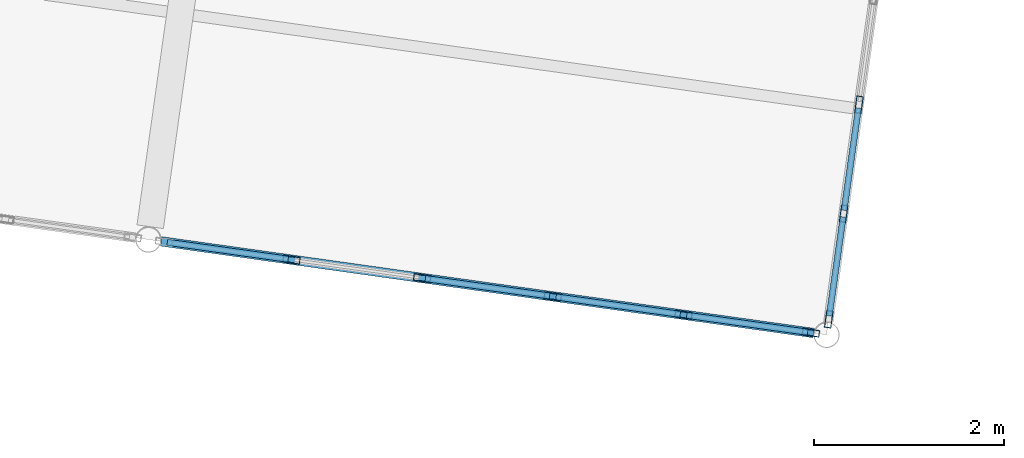
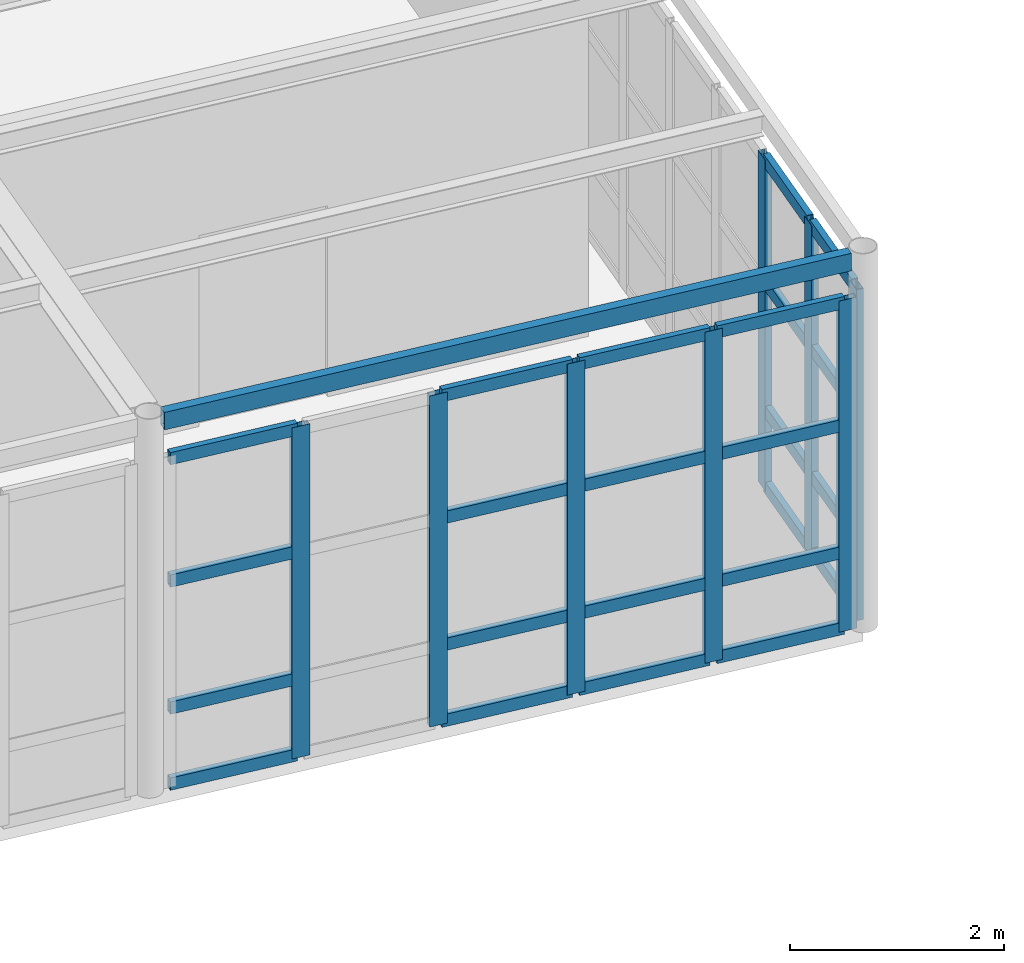
# One storey, part 23 of 67: 32 members, 1 beam, 2 elements without a shape of their own.
"""IFC4 building model written with IfcOpenShell, lengths in metres."""

from ifc_helpers import new_model, si_unit, direction, frame, origin, origin_2d, place, context, subcontext, project, spatial, hollow_rectangle, extrude, material, layer, layer_set, material_profile, profile_set, type_object, element, aggregate, save


model = new_model("IFC4")

# Units and contexts
model_context = context("Model", 3, precision=1e-05, world=origin(), true_north=direction((0.0, 1.0)))
body_context = subcontext(model_context, "Body", "Model", "MODEL_VIEW")
ifc_project = project(units=[si_unit("LENGTHUNIT", "METRE"), si_unit("AREAUNIT", "SQUARE_METRE"), si_unit("VOLUMEUNIT", "CUBIC_METRE"), si_unit("PLANEANGLEUNIT", "RADIAN"), si_unit("MASSUNIT", "GRAM", prefix="KILO")], contexts=[model_context])

# Site, building, storey
site_placement = place(None, origin())
site = spatial("IfcSite", under=ifc_project, at=site_placement, CompositionType="ELEMENT")
building_placement = place(site_placement, origin())
building = spatial("IfcBuilding", under=site, at=building_placement, Name="Kharisveld Research Institute", CompositionType="ELEMENT")
storey_placement = place(building_placement, frame((0.0, 0.0, 9.60009765625)))
storey = spatial("IfcBuildingStorey", under=building, at=storey_placement, Name="L02", CompositionType="ELEMENT", Elevation=9.60009765625)

# Curtain wall, members
ifc_material_1 = material(Name="Thermally Broken Aluminium Curtain Wall", Category="aluminium")
ifc_layer_1 = layer(ifc_material_1, 0.159912109375)
ifc_layer_set_1 = layer_set([ifc_layer_1], Name="CW_SYS_01")
curtain_wall_type_1 = type_object("IfcCurtainWallType", Name="CW_SYS_01", PredefinedType="NOTDEFINED", material=ifc_layer_set_1)
curtain_wall_1_placement = place(storey_placement, origin())
curtain_wall_1 = element("IfcCurtainWall", 1, at=curtain_wall_1_placement, inside=storey, type_object=curtain_wall_type_1, Name="CW:V4:L02:E1", PredefinedType="NOTDEFINED")
ifc_material_2 = material(Name="Anodised Aluminium AW-6063-T6", Category="aluminium")
ifc_material_profile_1 = material_profile(ifc_material_2, hollow_rectangle(XDim=0.070068359375, YDim=0.179931640625, WallThickness=0.00439453125, at=origin_2d()))
ifc_profile_set_1 = profile_set([ifc_material_profile_1], Name="Anodised Aluminium AW-6063-T6")
member_type_1 = type_object("IfcMemberType", Name="CW_MUL_180", PredefinedType="MULLION", material=ifc_profile_set_1)
member_1_placement = place(storey_placement, frame((103.85986328125, 15.911865234375, 0.0), z_axis=(0.0, 0.0, 1.0), x_axis=(0.990268046064, -0.139173262318, 0.0)))
member_1 = element("IfcMember", 2, at=member_1_placement, type_object=member_type_1, Name="CW-01 mullion 5", PredefinedType="MULLION", context=body_context, shape_type="SweptSolid", body=[
    extrude(hollow_rectangle(XDim=0.070068359375, YDim=0.179931640625, WallThickness=0.00439453125, at=origin_2d()), origin(), (0.0, 0.0, 1.0), 3.77978515625),
])
member_2_placement = place(storey_placement, frame((103.698974609375, 14.766845703125, 0.0), z_axis=(0.0, 0.0, 1.0), x_axis=(0.990268046064, -0.139173262318, 0.0)))
member_2 = element("IfcMember", 3, at=member_2_placement, type_object=member_type_1, Name="CW-01 mullion 6", PredefinedType="MULLION", context=body_context, shape_type="SweptSolid", body=[
    extrude(hollow_rectangle(XDim=0.070068359375, YDim=0.179931640625, WallThickness=0.00439453125, at=origin_2d()), origin(), (0.0, 0.0, 1.0), 3.77978515625),
])
member_3_placement = place(storey_placement, frame((103.54296875, 13.65673828125, 0.0), z_axis=(0.0, 0.0, 1.0), x_axis=(0.990268046064, -0.139173262318, 0.0)))
member_3 = element("IfcMember", 4, at=member_3_placement, type_object=member_type_1, Name="CW-01 mullion 7", PredefinedType="MULLION", context=body_context, shape_type="SweptSolid", body=[
    extrude(hollow_rectangle(XDim=0.070068359375, YDim=0.179931640625, WallThickness=0.00439453125, at=origin_2d()), origin(), (0.0, 0.0, 1.0), 3.77978515625),
])

ifc_material_3 = material(Name="Thermally Broken Aluminium Curtain Wall", Category="aluminium")
ifc_layer_2 = layer(ifc_material_3, 0.159912109375)
ifc_layer_set_2 = layer_set([ifc_layer_2], Name="CW_SYS_02")
curtain_wall_type_2 = type_object("IfcCurtainWallType", Name="CW_SYS_02", PredefinedType="NOTDEFINED", material=ifc_layer_set_2)
curtain_wall_2_placement = place(storey_placement, origin())
curtain_wall_2 = element("IfcCurtainWall", 5, at=curtain_wall_2_placement, inside=storey, type_object=curtain_wall_type_2, Name="CW:V4:L02:S4", PredefinedType="NOTDEFINED")
member_4_placement = place(storey_placement, frame((103.354736328125, 13.514892578125, 0.0), z_axis=(0.0, 0.0, 1.0), x_axis=(-0.139173120957, -0.990268065931, 0.0)))
member_4 = element("IfcMember", 6, at=member_4_placement, type_object=member_type_1, Name="CW-02 mullion 1", PredefinedType="MULLION", context=body_context, shape_type="SweptSolid", body=[
    extrude(hollow_rectangle(XDim=0.070068359375, YDim=0.179931640625, WallThickness=0.00439453125, at=origin_2d()), origin(), (0.0, 0.0, 1.0), 3.77978515625),
])
member_5_placement = place(storey_placement, frame((102.015625, 13.703125, 0.0), z_axis=(0.0, 0.0, 1.0), x_axis=(-0.139173120957, -0.990268065931, 0.0)))
member_5 = element("IfcMember", 7, at=member_5_placement, type_object=member_type_1, Name="CW-02 mullion 2", PredefinedType="MULLION", context=body_context, shape_type="SweptSolid", body=[
    extrude(hollow_rectangle(XDim=0.070068359375, YDim=0.179931640625, WallThickness=0.00439453125, at=origin_2d()), origin(), (0.0, 0.0, 1.0), 3.77978515625),
])
member_6_placement = place(storey_placement, frame((100.6416015625, 13.896240234375, 0.0), z_axis=(0.0, 0.0, 1.0), x_axis=(-0.139173120957, -0.990268065931, 0.0)))
member_6 = element("IfcMember", 8, at=member_6_placement, type_object=member_type_1, Name="CW-02 mullion 3", PredefinedType="MULLION", context=body_context, shape_type="SweptSolid", body=[
    extrude(hollow_rectangle(XDim=0.070068359375, YDim=0.179931640625, WallThickness=0.00439453125, at=origin_2d()), origin(), (0.0, 0.0, 1.0), 3.77978515625),
])
member_7_placement = place(storey_placement, frame((99.267822265625, 14.08935546875, 0.0), z_axis=(0.0, 0.0, 1.0), x_axis=(-0.139173120957, -0.990268065931, 0.0)))
member_7 = element("IfcMember", 9, at=member_7_placement, type_object=member_type_1, Name="CW-02 mullion 4", PredefinedType="MULLION", context=body_context, shape_type="SweptSolid", body=[
    extrude(hollow_rectangle(XDim=0.070068359375, YDim=0.179931640625, WallThickness=0.00439453125, at=origin_2d()), origin(), (0.0, 0.0, 1.0), 3.77978515625),
])
member_8_placement = place(storey_placement, frame((97.893798828125, 14.282470703125, 0.0), z_axis=(0.0, 0.0, 1.0), x_axis=(-0.139173120957, -0.990268065931, 0.0)))
member_8 = element("IfcMember", 10, at=member_8_placement, type_object=member_type_1, Name="CW-02 mullion 5", PredefinedType="MULLION", context=body_context, shape_type="SweptSolid", body=[
    extrude(hollow_rectangle(XDim=0.070068359375, YDim=0.179931640625, WallThickness=0.00439453125, at=origin_2d()), origin(), (0.0, 0.0, 1.0), 3.77978515625),
])

# Member
ifc_material_4 = material(Name="Anodised Aluminium AW-6063-T6", Category="aluminium")
ifc_material_profile_2 = material_profile(ifc_material_4, hollow_rectangle(XDim=0.06494140625, YDim=0.139892578125, WallThickness=0.00390625, at=origin_2d()))
ifc_profile_set_2 = profile_set([ifc_material_profile_2], Name="Anodised Aluminium AW-6063-T6")
member_type_2 = type_object("IfcMemberType", Name="CW_TRN_140", PredefinedType="USERDEFINED", material=ifc_profile_set_2)
member_9_placement = place(storey_placement, frame((103.85498046875, 15.877197265625, 0.032470703125), z_axis=(-0.139123969132, -0.990274972527, 0.0), x_axis=(0.990274972527, -0.139123969132, 0.0)))
member_9 = element("IfcMember", 11, at=member_9_placement, type_object=member_type_2, Name="CW-01 transom 5.1", ObjectType="TRANSOM", PredefinedType="USERDEFINED", context=body_context, shape_type="SweptSolid", body=[
    extrude(hollow_rectangle(XDim=0.06494140625, YDim=0.139892578125, WallThickness=0.00390625, at=origin_2d()), origin(), (0.0, 0.0, 1.0), 1.086181640625),
])

member_10_placement = place(storey_placement, frame((103.85498046875, 15.877197265625, 0.89990234375), z_axis=(-0.139123969132, -0.990274972527, 0.0), x_axis=(0.990274972527, -0.139123969132, 0.0)))
member_10 = element("IfcMember", 12, at=member_10_placement, type_object=member_type_2, Name="CW-01 transom 5.2", ObjectType="TRANSOM", PredefinedType="USERDEFINED", context=body_context, shape_type="SweptSolid", body=[
    extrude(hollow_rectangle(XDim=0.06494140625, YDim=0.139892578125, WallThickness=0.00390625, at=origin_2d()), origin(), (0.0, 0.0, 1.0), 1.086181640625),
])

member_11_placement = place(storey_placement, frame((103.85498046875, 15.877197265625, 2.349853515625), z_axis=(-0.139123969132, -0.990274972527, 0.0), x_axis=(0.990274972527, -0.139123969132, 0.0)))
member_11 = element("IfcMember", 13, at=member_11_placement, type_object=member_type_2, Name="CW-01 transom 5.3", ObjectType="TRANSOM", PredefinedType="USERDEFINED", context=body_context, shape_type="SweptSolid", body=[
    extrude(hollow_rectangle(XDim=0.06494140625, YDim=0.139892578125, WallThickness=0.00390625, at=origin_2d()), origin(), (0.0, 0.0, 1.0), 1.086181640625),
])

member_12_placement = place(storey_placement, frame((103.85498046875, 15.877197265625, 3.747314453125), z_axis=(-0.139123969132, -0.990274972527, 0.0), x_axis=(0.990274972527, -0.139123969132, 0.0)))
member_12 = element("IfcMember", 14, at=member_12_placement, type_object=member_type_2, Name="CW-01 transom 5.4", ObjectType="TRANSOM", PredefinedType="USERDEFINED", context=body_context, shape_type="SweptSolid", body=[
    extrude(hollow_rectangle(XDim=0.06494140625, YDim=0.139892578125, WallThickness=0.00390625, at=origin_2d()), origin(), (0.0, 0.0, 1.0), 1.086181640625),
])

member_13_placement = place(storey_placement, frame((103.694091796875, 14.732177734375, 0.032470703125), z_axis=(-0.139144494747, -0.990272088661, 0.0), x_axis=(0.990272088661, -0.139144494747, 0.0)))
member_13 = element("IfcMember", 15, at=member_13_placement, type_object=member_type_2, Name="CW-01 transom 6.1", ObjectType="TRANSOM", PredefinedType="USERDEFINED", context=body_context, shape_type="SweptSolid", body=[
    extrude(hollow_rectangle(XDim=0.06494140625, YDim=0.139892578125, WallThickness=0.00390625, at=origin_2d()), origin(), (0.0, 0.0, 1.0), 1.051025390625),
])

member_14_placement = place(storey_placement, frame((103.694091796875, 14.732177734375, 0.89990234375), z_axis=(-0.139144494747, -0.990272088661, 0.0), x_axis=(0.990272088661, -0.139144494747, 0.0)))
member_14 = element("IfcMember", 16, at=member_14_placement, type_object=member_type_2, Name="CW-01 transom 6.2", ObjectType="TRANSOM", PredefinedType="USERDEFINED", context=body_context, shape_type="SweptSolid", body=[
    extrude(hollow_rectangle(XDim=0.06494140625, YDim=0.139892578125, WallThickness=0.00390625, at=origin_2d()), origin(), (0.0, 0.0, 1.0), 1.051025390625),
])

member_15_placement = place(storey_placement, frame((103.694091796875, 14.732177734375, 2.349853515625), z_axis=(-0.139144494747, -0.990272088661, 0.0), x_axis=(0.990272088661, -0.139144494747, 0.0)))
member_15 = element("IfcMember", 17, at=member_15_placement, type_object=member_type_2, Name="CW-01 transom 6.3", ObjectType="TRANSOM", PredefinedType="USERDEFINED", context=body_context, shape_type="SweptSolid", body=[
    extrude(hollow_rectangle(XDim=0.06494140625, YDim=0.139892578125, WallThickness=0.00390625, at=origin_2d()), origin(), (0.0, 0.0, 1.0), 1.051025390625),
])

member_16_placement = place(storey_placement, frame((103.694091796875, 14.732177734375, 3.747314453125), z_axis=(-0.139144494747, -0.990272088661, 0.0), x_axis=(0.990272088661, -0.139144494747, 0.0)))
member_16 = element("IfcMember", 18, at=member_16_placement, type_object=member_type_2, Name="CW-01 transom 6.4", ObjectType="TRANSOM", PredefinedType="USERDEFINED", context=body_context, shape_type="SweptSolid", body=[
    extrude(hollow_rectangle(XDim=0.06494140625, YDim=0.139892578125, WallThickness=0.00390625, at=origin_2d()), origin(), (0.0, 0.0, 1.0), 1.051025390625),
])

aggregate(curtain_wall_1, [member_1, member_2, member_3, member_9, member_10, member_11, member_12, member_13, member_14, member_15, member_16])

member_17_placement = place(storey_placement, frame((103.320068359375, 13.519775390625, 0.032470703125), z_axis=(-0.99026683228, 0.139181898557, 0.0), x_axis=(-0.139181898557, -0.99026683228, 0.0)))
member_17 = element("IfcMember", 19, at=member_17_placement, type_object=member_type_2, Name="CW-02 transom 1.1", ObjectType="TRANSOM", PredefinedType="USERDEFINED", context=body_context, shape_type="SweptSolid", body=[
    extrude(hollow_rectangle(XDim=0.06494140625, YDim=0.139892578125, WallThickness=0.00390625, at=origin_2d()), origin(), (0.0, 0.0, 1.0), 1.2822265625),
])

member_18_placement = place(storey_placement, frame((103.320068359375, 13.519775390625, 0.89990234375), z_axis=(-0.99026683228, 0.139181898557, 0.0), x_axis=(-0.139181898557, -0.99026683228, 0.0)))
member_18 = element("IfcMember", 20, at=member_18_placement, type_object=member_type_2, Name="CW-02 transom 1.2", ObjectType="TRANSOM", PredefinedType="USERDEFINED", context=body_context, shape_type="SweptSolid", body=[
    extrude(hollow_rectangle(XDim=0.06494140625, YDim=0.139892578125, WallThickness=0.00390625, at=origin_2d()), origin(), (0.0, 0.0, 1.0), 1.2822265625),
])

member_19_placement = place(storey_placement, frame((103.320068359375, 13.519775390625, 2.349853515625), z_axis=(-0.99026683228, 0.139181898557, 0.0), x_axis=(-0.139181898557, -0.99026683228, 0.0)))
member_19 = element("IfcMember", 21, at=member_19_placement, type_object=member_type_2, Name="CW-02 transom 1.3", ObjectType="TRANSOM", PredefinedType="USERDEFINED", context=body_context, shape_type="SweptSolid", body=[
    extrude(hollow_rectangle(XDim=0.06494140625, YDim=0.139892578125, WallThickness=0.00390625, at=origin_2d()), origin(), (0.0, 0.0, 1.0), 1.2822265625),
])

member_20_placement = place(storey_placement, frame((103.320068359375, 13.519775390625, 3.747314453125), z_axis=(-0.99026683228, 0.139181898557, 0.0), x_axis=(-0.139181898557, -0.99026683228, 0.0)))
member_20 = element("IfcMember", 22, at=member_20_placement, type_object=member_type_2, Name="CW-02 transom 1.4", ObjectType="TRANSOM", PredefinedType="USERDEFINED", context=body_context, shape_type="SweptSolid", body=[
    extrude(hollow_rectangle(XDim=0.06494140625, YDim=0.139892578125, WallThickness=0.00390625, at=origin_2d()), origin(), (0.0, 0.0, 1.0), 1.2822265625),
])

member_21_placement = place(storey_placement, frame((101.98095703125, 13.7080078125, 0.032470703125), z_axis=(-0.990269351258, 0.139163975074, 0.0), x_axis=(-0.139163975074, -0.990269351258, 0.0)))
member_21 = element("IfcMember", 23, at=member_21_placement, type_object=member_type_2, Name="CW-02 transom 2.1", ObjectType="TRANSOM", PredefinedType="USERDEFINED", context=body_context, shape_type="SweptSolid", body=[
    extrude(hollow_rectangle(XDim=0.06494140625, YDim=0.139892578125, WallThickness=0.00390625, at=origin_2d()), origin(), (0.0, 0.0, 1.0), 1.317626953125),
])

member_22_placement = place(storey_placement, frame((101.98095703125, 13.7080078125, 0.89990234375), z_axis=(-0.990269351258, 0.139163975074, 0.0), x_axis=(-0.139163975074, -0.990269351258, 0.0)))
member_22 = element("IfcMember", 24, at=member_22_placement, type_object=member_type_2, Name="CW-02 transom 2.2", ObjectType="TRANSOM", PredefinedType="USERDEFINED", context=body_context, shape_type="SweptSolid", body=[
    extrude(hollow_rectangle(XDim=0.06494140625, YDim=0.139892578125, WallThickness=0.00390625, at=origin_2d()), origin(), (0.0, 0.0, 1.0), 1.317626953125),
])

member_23_placement = place(storey_placement, frame((101.98095703125, 13.7080078125, 2.349853515625), z_axis=(-0.990269351258, 0.139163975074, 0.0), x_axis=(-0.139163975074, -0.990269351258, 0.0)))
member_23 = element("IfcMember", 25, at=member_23_placement, type_object=member_type_2, Name="CW-02 transom 2.3", ObjectType="TRANSOM", PredefinedType="USERDEFINED", context=body_context, shape_type="SweptSolid", body=[
    extrude(hollow_rectangle(XDim=0.06494140625, YDim=0.139892578125, WallThickness=0.00390625, at=origin_2d()), origin(), (0.0, 0.0, 1.0), 1.317626953125),
])

member_24_placement = place(storey_placement, frame((101.98095703125, 13.7080078125, 3.747314453125), z_axis=(-0.990269351258, 0.139163975074, 0.0), x_axis=(-0.139163975074, -0.990269351258, 0.0)))
member_24 = element("IfcMember", 26, at=member_24_placement, type_object=member_type_2, Name="CW-02 transom 2.4", ObjectType="TRANSOM", PredefinedType="USERDEFINED", context=body_context, shape_type="SweptSolid", body=[
    extrude(hollow_rectangle(XDim=0.06494140625, YDim=0.139892578125, WallThickness=0.00390625, at=origin_2d()), origin(), (0.0, 0.0, 1.0), 1.317626953125),
])

member_25_placement = place(storey_placement, frame((100.60693359375, 13.901123046875, 0.032470703125), z_axis=(-0.990265761542, 0.139189516548, 0.0), x_axis=(-0.139189516548, -0.990265761542, 0.0)))
member_25 = element("IfcMember", 27, at=member_25_placement, type_object=member_type_2, Name="CW-02 transom 3.1", ObjectType="TRANSOM", PredefinedType="USERDEFINED", context=body_context, shape_type="SweptSolid", body=[
    extrude(hollow_rectangle(XDim=0.06494140625, YDim=0.139892578125, WallThickness=0.00390625, at=origin_2d()), origin(), (0.0, 0.0, 1.0), 1.3173828125),
])

member_26_placement = place(storey_placement, frame((100.60693359375, 13.901123046875, 0.89990234375), z_axis=(-0.990265761542, 0.139189516548, 0.0), x_axis=(-0.139189516548, -0.990265761542, 0.0)))
member_26 = element("IfcMember", 28, at=member_26_placement, type_object=member_type_2, Name="CW-02 transom 3.2", ObjectType="TRANSOM", PredefinedType="USERDEFINED", context=body_context, shape_type="SweptSolid", body=[
    extrude(hollow_rectangle(XDim=0.06494140625, YDim=0.139892578125, WallThickness=0.00390625, at=origin_2d()), origin(), (0.0, 0.0, 1.0), 1.3173828125),
])

member_27_placement = place(storey_placement, frame((100.60693359375, 13.901123046875, 2.349853515625), z_axis=(-0.990265761542, 0.139189516548, 0.0), x_axis=(-0.139189516548, -0.990265761542, 0.0)))
member_27 = element("IfcMember", 29, at=member_27_placement, type_object=member_type_2, Name="CW-02 transom 3.3", ObjectType="TRANSOM", PredefinedType="USERDEFINED", context=body_context, shape_type="SweptSolid", body=[
    extrude(hollow_rectangle(XDim=0.06494140625, YDim=0.139892578125, WallThickness=0.00390625, at=origin_2d()), origin(), (0.0, 0.0, 1.0), 1.3173828125),
])

member_28_placement = place(storey_placement, frame((100.60693359375, 13.901123046875, 3.747314453125), z_axis=(-0.990265761542, 0.139189516548, 0.0), x_axis=(-0.139189516548, -0.990265761542, 0.0)))
member_28 = element("IfcMember", 30, at=member_28_placement, type_object=member_type_2, Name="CW-02 transom 3.4", ObjectType="TRANSOM", PredefinedType="USERDEFINED", context=body_context, shape_type="SweptSolid", body=[
    extrude(hollow_rectangle(XDim=0.06494140625, YDim=0.139892578125, WallThickness=0.00390625, at=origin_2d()), origin(), (0.0, 0.0, 1.0), 1.3173828125),
])

member_29_placement = place(storey_placement, frame((97.859130859375, 14.287353515625, 0.032470703125), z_axis=(-0.99026683228, 0.139181898557, 0.0), x_axis=(-0.139181898557, -0.99026683228, 0.0)))
member_29 = element("IfcMember", 31, at=member_29_placement, type_object=member_type_2, Name="CW-02 transom 5.1", ObjectType="TRANSOM", PredefinedType="USERDEFINED", context=body_context, shape_type="SweptSolid", body=[
    extrude(hollow_rectangle(XDim=0.06494140625, YDim=0.139892578125, WallThickness=0.00390625, at=origin_2d()), origin(), (0.0, 0.0, 1.0), 1.2822265625),
])

member_30_placement = place(storey_placement, frame((97.859130859375, 14.287353515625, 0.89990234375), z_axis=(-0.99026683228, 0.139181898557, 0.0), x_axis=(-0.139181898557, -0.99026683228, 0.0)))
member_30 = element("IfcMember", 32, at=member_30_placement, type_object=member_type_2, Name="CW-02 transom 5.2", ObjectType="TRANSOM", PredefinedType="USERDEFINED", context=body_context, shape_type="SweptSolid", body=[
    extrude(hollow_rectangle(XDim=0.06494140625, YDim=0.139892578125, WallThickness=0.00390625, at=origin_2d()), origin(), (0.0, 0.0, 1.0), 1.2822265625),
])

member_31_placement = place(storey_placement, frame((97.859130859375, 14.287353515625, 2.349853515625), z_axis=(-0.99026683228, 0.139181898557, 0.0), x_axis=(-0.139181898557, -0.99026683228, 0.0)))
member_31 = element("IfcMember", 33, at=member_31_placement, type_object=member_type_2, Name="CW-02 transom 5.3", ObjectType="TRANSOM", PredefinedType="USERDEFINED", context=body_context, shape_type="SweptSolid", body=[
    extrude(hollow_rectangle(XDim=0.06494140625, YDim=0.139892578125, WallThickness=0.00390625, at=origin_2d()), origin(), (0.0, 0.0, 1.0), 1.2822265625),
])

member_32_placement = place(storey_placement, frame((97.859130859375, 14.287353515625, 3.747314453125), z_axis=(-0.99026683228, 0.139181898557, 0.0), x_axis=(-0.139181898557, -0.99026683228, 0.0)))
member_32 = element("IfcMember", 34, at=member_32_placement, type_object=member_type_2, Name="CW-02 transom 5.4", ObjectType="TRANSOM", PredefinedType="USERDEFINED", context=body_context, shape_type="SweptSolid", body=[
    extrude(hollow_rectangle(XDim=0.06494140625, YDim=0.139892578125, WallThickness=0.00390625, at=origin_2d()), origin(), (0.0, 0.0, 1.0), 1.2822265625),
])

aggregate(curtain_wall_2, [member_4, member_5, member_6, member_7, member_8, member_17, member_18, member_19, member_20, member_21, member_22, member_23, member_24, member_25, member_26, member_27, member_28, member_29, member_30, member_31, member_32])

# Beam
ifc_material_5 = material(Name="Steel S355J2H", Category="steel")
ifc_material_profile_3 = material_profile(ifc_material_5, hollow_rectangle(XDim=0.10009765625, YDim=0.199951171875, WallThickness=0.008056640625, at=origin_2d()))
ifc_profile_set_3 = profile_set([ifc_material_profile_3], Name="Steel S355J2H")
beam_type = type_object("IfcBeamType", Name="SP_ST_RHS200", PredefinedType="SPANDREL", material=ifc_profile_set_3)
beam_placement = place(storey_placement, frame((96.52490234375, 14.474853515625, 4.204833984375), z_axis=(0.990266979849, -0.139180848611, 0.0), x_axis=(0.139180848611, 0.990266979849, 0.0)))
element("IfcBeam", 35, at=beam_placement, inside=storey, type_object=beam_type, Name="BM:V4:L02:U3_0", PredefinedType="SPANDREL", context=body_context, shape_type="SweptSolid", body=[
    extrude(hollow_rectangle(XDim=0.10009765625, YDim=0.199951171875, WallThickness=0.008056640625, at=origin_2d()), origin(), (0.0, 0.0, 1.0), 6.927001953125),
])

save(model, "model.ifc")
